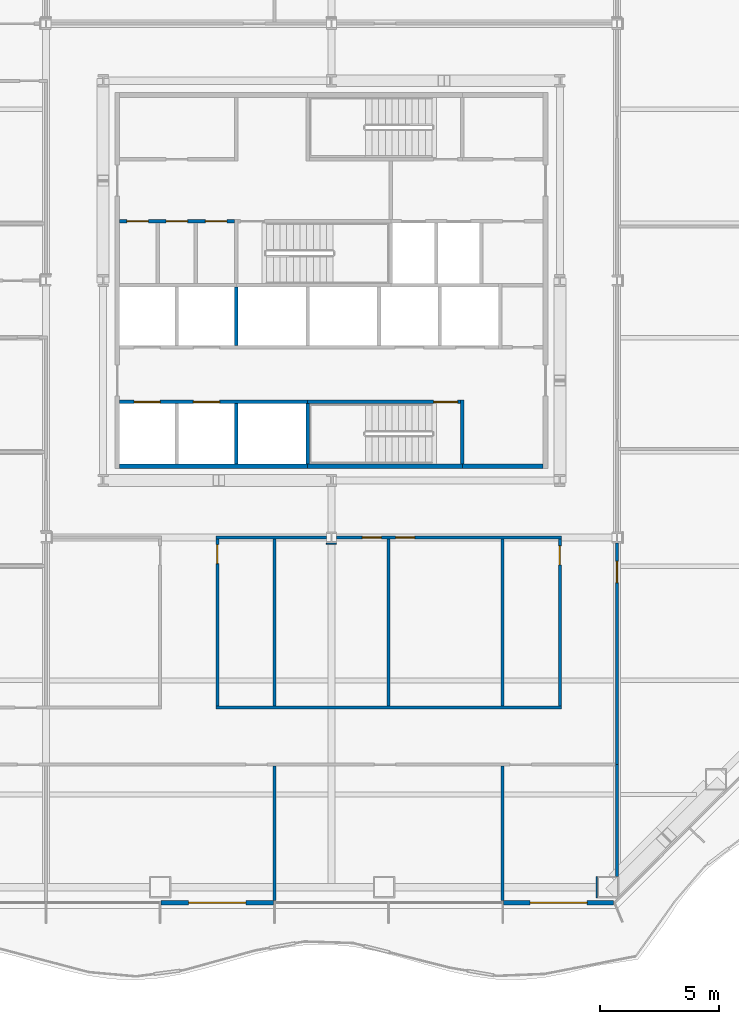
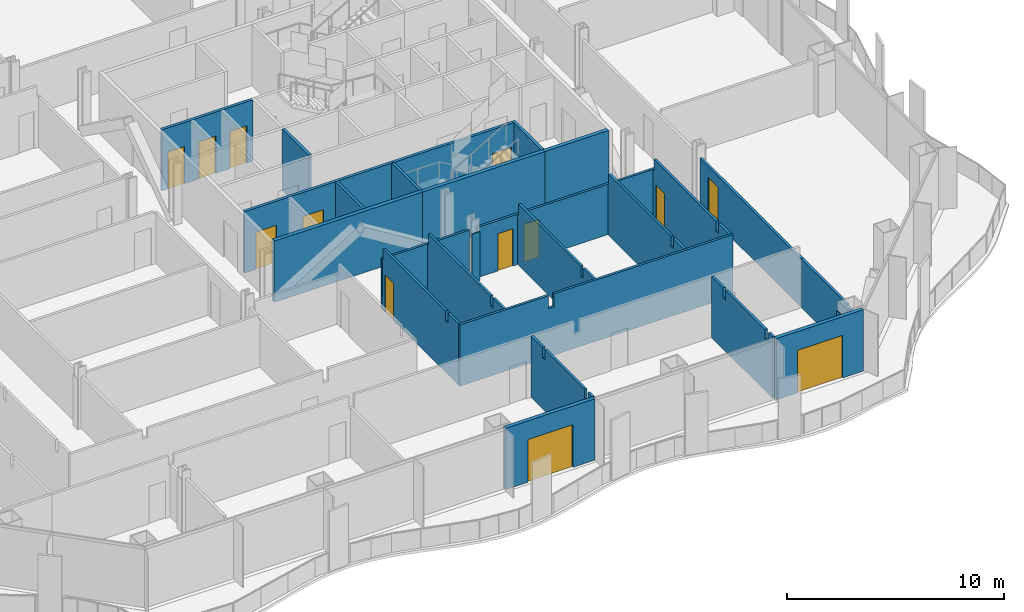
# One storey, part 8 of 18: 26 walls, 13 doors, 13 openings.
"""IFC4 building model written with IfcOpenShell, lengths in metres."""

from ifc_helpers import new_model, si_unit, direction, frame, frame_2d, origin, place, context, subcontext, project, spatial, polyline, rectangle, outline, extrude, material, layer, layer_set, type_object, element, fill, save


model = new_model("IFC4")

# Units and contexts
model_context = context("Model", 3, precision=1e-05, world=origin(), true_north=direction((0.0, 1.0)))
body_context = subcontext(model_context, "Body", "Model", "MODEL_VIEW")
ifc_project = project(units=[si_unit("LENGTHUNIT", "METRE"), si_unit("AREAUNIT", "SQUARE_METRE"), si_unit("VOLUMEUNIT", "CUBIC_METRE"), si_unit("PLANEANGLEUNIT", "RADIAN"), si_unit("MASSUNIT", "GRAM", prefix="KILO")], contexts=[model_context])

# Site, building, storey
site_placement = place(None, origin())
site = spatial("IfcSite", under=ifc_project, at=site_placement, CompositionType="ELEMENT")
building_placement = place(site_placement, origin())
building = spatial("IfcBuilding", under=site, at=building_placement, Name="Cairn Pilgrim Tower", CompositionType="ELEMENT")
storey_placement = place(building_placement, frame((0.0, 0.0, 76.199951171875)))
storey = spatial("IfcBuildingStorey", under=building, at=storey_placement, Name="L17", CompositionType="ELEMENT", Elevation=76.199951171875)

# Wall, opening, door
ifc_material_1 = material(Name="Bronze anodised aluminium insulated sandwich panel with mineral wool fill", Category="aluminium")
ifc_layer_1 = layer(ifc_material_1, 0.199951171875)
ifc_layer_set_1 = layer_set([ifc_layer_1], Name="BRONZE INFILL FRAME WALL 200")
wall_type_1 = type_object("IfcWallType", Name="BRONZE INFILL FRAME WALL 200", PredefinedType="NOTDEFINED", material=ifc_layer_set_1)
wall_1_placement = place(storey_placement, frame((0.030029296875, -23.75, 0.0), z_axis=(0.0, 0.0, 1.0), x_axis=(1.0, 0.0, 0.0)))
wall_1 = element("IfcWall", 1, at=wall_1_placement, inside=storey, type_object=wall_type_1, Name="Bronze infill frame wall IW-S5", PredefinedType="NOTDEFINED", context=body_context, shape_type="SweptSolid", body=[
    extrude(rectangle(XDim=4.739990234375, YDim=0.199951171875, at=frame_2d((2.3701171875, 0.0))), origin(), (0.0, 0.0, 1.0), 3.449951171875),
])
opening_1_placement = place(wall_1_placement, frame((1.169921875, 0.0, 0.0)))
opening_1 = element("IfcOpeningElement", 2, at=opening_1_placement, cuts=wall_1, Name="Opening 1703B", PredefinedType="OPENING", context=body_context, shape_type="SweptSolid", body=[
    extrude(rectangle(XDim=2.39990234375, YDim=2.39990234375, at=frame_2d((1.199951171875, 1.199951171875))), frame((0.0, 0.10986328125, 0.0), z_axis=(0.0, -1.0, 0.0), x_axis=(1.0, 0.0, 0.0)), (0.0, 0.0, 1.0), 0.219970703125),
])
ifc_material_2 = material(Name="Bronze anodised aluminium frame with tinted low-E glass", Category="aluminium")
door_type_1 = type_object("IfcDoorType", Name="BALCONY SLIDING DOOR 2400x2400", OperationType="DOUBLE_DOOR_SLIDING", PredefinedType="DOOR", material=ifc_material_2)
door_1_placement = place(opening_1_placement, origin())
door_1 = element("IfcDoor", 3, at=door_1_placement, inside=storey, type_object=door_type_1, Name="Balcony sliding door 1703B", OperationType="SINGLE_SWING_LEFT", OverallHeight=2.39990234375, OverallWidth=2.39990234375, PredefinedType="DOOR", context=body_context, shape_type="SweptSolid", body=[
    extrude(rectangle(XDim=2.39990234375, YDim=2.39990234375, at=frame_2d((1.199951171875, 1.199951171875))), frame((0.0, 0.02490234375, 0.0), z_axis=(0.0, -1.0, 0.0), x_axis=(1.0, 0.0, 0.0)), (0.0, 0.0, 1.0), 0.050048828125),
])
fill(opening_1, door_1)

wall_2_placement = place(storey_placement, frame((14.429931640625, -23.75, 0.0), z_axis=(0.0, 0.0, 1.0), x_axis=(1.0, 0.0, 0.0)))
wall_2 = element("IfcWall", 4, at=wall_2_placement, inside=storey, type_object=wall_type_1, Name="Bronze infill frame wall IW-S8", PredefinedType="NOTDEFINED", context=body_context, shape_type="SweptSolid", body=[
    extrude(rectangle(XDim=4.62646484375, YDim=0.199951171875, at=frame_2d((2.313232421875, 0.0))), origin(), (0.0, 0.0, 1.0), 3.449951171875),
])
opening_2_placement = place(wall_2_placement, frame((1.117919921875, 0.0, 0.0)))
opening_2 = element("IfcOpeningElement", 5, at=opening_2_placement, cuts=wall_2, Name="Opening 1705B", PredefinedType="OPENING", context=body_context, shape_type="SweptSolid", body=[
    extrude(rectangle(XDim=2.39990234375, YDim=2.39990234375, at=frame_2d((1.199951171875, 1.199951171875))), frame((0.0, 0.10986328125, 0.0), z_axis=(0.0, -1.0, 0.0), x_axis=(1.0, 0.0, 0.0)), (0.0, 0.0, 1.0), 0.219970703125),
])
door_2_placement = place(opening_2_placement, origin())
door_2 = element("IfcDoor", 6, at=door_2_placement, inside=storey, type_object=door_type_1, Name="Balcony sliding door 1705B", OperationType="SINGLE_SWING_LEFT", OverallHeight=2.39990234375, OverallWidth=2.39990234375, PredefinedType="DOOR", context=body_context, shape_type="SweptSolid", body=[
    extrude(rectangle(XDim=2.39990234375, YDim=2.39990234375, at=frame_2d((1.199951171875, 1.199951171875))), frame((0.0, 0.02490234375, 0.0), z_axis=(0.0, -1.0, 0.0), x_axis=(1.0, 0.0, 0.0)), (0.0, 0.0, 1.0), 0.050048828125),
])
fill(opening_2, door_2)

# Walls
ifc_material_3 = material(Name="Concrete C32/40", Category="concrete")
ifc_layer_2 = layer(ifc_material_3, 0.199951171875)
ifc_layer_set_2 = layer_set([ifc_layer_2], Name="CORE OUTER WALL 200 EI 120")
wall_type_2 = type_object("IfcWallType", Name="CORE OUTER WALL 200 EI 120", PredefinedType="SOLIDWALL", material=ifc_layer_set_2)
wall_3_placement = place(storey_placement, frame((-1.699951171875, -5.39990234375, 0.0), z_axis=(0.0, 0.0, 1.0), x_axis=(1.0, 0.0, 0.0)))
element("IfcWall", 7, at=wall_3_placement, inside=storey, type_object=wall_type_2, Name="CW:L17:H01-1", PredefinedType="SOLIDWALL", context=body_context, shape_type="SweptSolid", body=[
    extrude(rectangle(XDim=7.89990234375, YDim=0.199951171875, at=frame_2d((3.949951171875, 0.0))), origin(), (0.0, 0.0, 1.0), 3.449951171875),
])
wall_4_placement = place(storey_placement, frame((12.699951171875, -5.39990234375, 0.0), z_axis=(0.0, 0.0, 1.0), x_axis=(1.0, 0.0, 0.0)))
element("IfcWall", 8, at=wall_4_placement, inside=storey, type_object=wall_type_2, Name="CW:L17:H01-3", PredefinedType="SOLIDWALL", context=body_context, shape_type="SweptSolid", body=[
    extrude(rectangle(XDim=3.400146484375, YDim=0.199951171875, at=frame_2d((1.7001953125, 0.0))), origin(), (0.0, 0.0, 1.0), 3.449951171875),
])

# Wall, openings, doors
ifc_layer_3 = layer(ifc_material_3, 0.14990234375)
ifc_layer_set_3 = layer_set([ifc_layer_3], Name="CORE PARTITION 150 EI 60")
wall_type_3 = type_object("IfcWallType", Name="CORE PARTITION 150 EI 60", PredefinedType="PARTITIONING", material=ifc_layer_set_3)
wall_5_placement = place(storey_placement, frame((-1.699951171875, 4.89990234375, 0.0), z_axis=(0.0, 0.0, 1.0), x_axis=(1.0, 0.0, 0.0)))
wall_5 = element("IfcWall", 9, at=wall_5_placement, inside=storey, type_object=wall_type_3, Name="CW:L17:H07", PredefinedType="PARTITIONING", context=body_context, shape_type="SweptSolid", body=[
    extrude(rectangle(XDim=4.824951171875, YDim=0.14990234375, at=frame_2d((2.41259765625, 0.0))), origin(), (0.0, 0.0, 1.0), 3.449951171875),
])
opening_3_placement = place(wall_5_placement, frame((0.300048828125, 0.0, 0.0)))
opening_3 = element("IfcOpeningElement", 10, at=opening_3_placement, cuts=wall_5, Name="Opening RD-R3W1", PredefinedType="OPENING", context=body_context, shape_type="SweptSolid", body=[
    extrude(rectangle(XDim=0.89990234375, YDim=2.10009765625, at=frame_2d((0.449951171875, 1.050048828125))), frame((0.0, 0.0849609375, 0.0), z_axis=(0.0, -1.0, 0.0), x_axis=(1.0, 0.0, 0.0)), (0.0, 0.0, 1.0), 0.169921875),
])
opening_4_placement = place(wall_5_placement, frame((1.949951171875, 0.0, 0.0)))
opening_4 = element("IfcOpeningElement", 11, at=opening_4_placement, cuts=wall_5, Name="Opening RD-R3W2", PredefinedType="OPENING", context=body_context, shape_type="SweptSolid", body=[
    extrude(rectangle(XDim=0.89990234375, YDim=2.10009765625, at=frame_2d((0.449951171875, 1.050048828125))), frame((0.0, 0.0849609375, 0.0), z_axis=(0.0, -1.0, 0.0), x_axis=(1.0, 0.0, 0.0)), (0.0, 0.0, 1.0), 0.169921875),
])
opening_5_placement = place(wall_5_placement, frame((3.60009765625, 0.0, 0.0)))
opening_5 = element("IfcOpeningElement", 12, at=opening_5_placement, cuts=wall_5, Name="Opening RD-R3W3", PredefinedType="OPENING", context=body_context, shape_type="SweptSolid", body=[
    extrude(rectangle(XDim=0.89990234375, YDim=2.10009765625, at=frame_2d((0.449951171875, 1.050048828125))), frame((0.0, 0.0849609375, 0.0), z_axis=(0.0, -1.0, 0.0), x_axis=(1.0, 0.0, 0.0)), (0.0, 0.0, 1.0), 0.169921875),
])
ifc_material_4 = material(Name="Painted steel", Category="steel")
door_type_2 = type_object("IfcDoorType", Name="SERVICE ROOM DOOR 900x2100", OperationType="SINGLE_SWING_LEFT", PredefinedType="DOOR", material=ifc_material_4)
door_3_placement = place(opening_3_placement, origin())
door_3 = element("IfcDoor", 13, at=door_3_placement, inside=storey, type_object=door_type_2, Name="RD-R3W1", OperationType="SINGLE_SWING_RIGHT", OverallHeight=2.10009765625, OverallWidth=0.89990234375, PredefinedType="DOOR", context=body_context, shape_type="SweptSolid", body=[
    extrude(rectangle(XDim=0.89990234375, YDim=2.10009765625, at=frame_2d((0.449951171875, 1.050048828125))), frame((0.0, 0.02490234375, 0.0), z_axis=(0.0, -1.0, 0.0), x_axis=(1.0, 0.0, 0.0)), (0.0, 0.0, 1.0), 0.050048828125),
])
fill(opening_3, door_3)
door_4_placement = place(opening_4_placement, origin())
door_4 = element("IfcDoor", 14, at=door_4_placement, inside=storey, type_object=door_type_2, Name="RD-R3W2", OperationType="SINGLE_SWING_LEFT", OverallHeight=2.10009765625, OverallWidth=0.89990234375, PredefinedType="DOOR", context=body_context, shape_type="SweptSolid", body=[
    extrude(rectangle(XDim=0.89990234375, YDim=2.10009765625, at=frame_2d((0.449951171875, 1.050048828125))), frame((0.0, 0.02490234375, 0.0), z_axis=(0.0, -1.0, 0.0), x_axis=(1.0, 0.0, 0.0)), (0.0, 0.0, 1.0), 0.050048828125),
])
fill(opening_4, door_4)
door_5_placement = place(opening_5_placement, origin())
door_5 = element("IfcDoor", 15, at=door_5_placement, inside=storey, type_object=door_type_2, Name="RD-R3W3", OperationType="SINGLE_SWING_RIGHT", OverallHeight=2.10009765625, OverallWidth=0.89990234375, PredefinedType="DOOR", context=body_context, shape_type="SweptSolid", body=[
    extrude(rectangle(XDim=0.89990234375, YDim=2.10009765625, at=frame_2d((0.449951171875, 1.050048828125))), frame((0.0, 0.02490234375, 0.0), z_axis=(0.0, -1.0, 0.0), x_axis=(1.0, 0.0, 0.0)), (0.0, 0.0, 1.0), 0.050048828125),
])
fill(opening_5, door_5)

ifc_layer_4 = layer(ifc_material_3, 0.14990234375)
ifc_layer_set_4 = layer_set([ifc_layer_4], Name="CORE SHAFT WALL 150 EI 120")
wall_type_4 = type_object("IfcWallType", Name="CORE SHAFT WALL 150 EI 120", PredefinedType="SOLIDWALL", material=ifc_layer_set_4)
wall_6_placement = place(storey_placement, frame((-1.699951171875, -2.699951171875, 0.0), z_axis=(0.0, 0.0, 1.0), x_axis=(1.0, 0.0, 0.0)))
wall_6 = element("IfcWall", 16, at=wall_6_placement, inside=storey, type_object=wall_type_4, Name="CW:L17:H02-1", PredefinedType="SOLIDWALL", context=body_context, shape_type="SweptSolid", body=[
    extrude(rectangle(XDim=7.89990234375, YDim=0.14990234375, at=frame_2d((3.949951171875, 0.0))), origin(), (0.0, 0.0, 1.0), 3.449951171875),
])
opening_6_placement = place(wall_6_placement, frame((0.60009765625, 0.0, 0.0)))
opening_6 = element("IfcOpeningElement", 17, at=opening_6_placement, cuts=wall_6, Name="Opening LD-LR1", PredefinedType="OPENING", context=body_context, shape_type="SweptSolid", body=[
    extrude(rectangle(XDim=1.10009765625, YDim=2.10009765625, at=frame_2d((0.550048828125, 1.050048828125))), frame((0.0, 0.0849609375, 0.0), z_axis=(0.0, -1.0, 0.0), x_axis=(1.0, 0.0, 0.0)), (0.0, 0.0, 1.0), 0.169921875),
])
opening_7_placement = place(wall_6_placement, frame((3.10009765625, 0.0, 0.0)))
opening_7 = element("IfcOpeningElement", 18, at=opening_7_placement, cuts=wall_6, Name="Opening LD-LR2", PredefinedType="OPENING", context=body_context, shape_type="SweptSolid", body=[
    extrude(rectangle(XDim=1.10009765625, YDim=2.10009765625, at=frame_2d((0.550048828125, 1.050048828125))), frame((0.0, 0.0849609375, 0.0), z_axis=(0.0, -1.0, 0.0), x_axis=(1.0, 0.0, 0.0)), (0.0, 0.0, 1.0), 0.169921875),
])
ifc_material_5 = material(Name="Stainless steel", Category="steel")
door_type_3 = type_object("IfcDoorType", Name="LIFT LANDING DOOR 1100x2100", OperationType="DOUBLE_DOOR_SLIDING", PredefinedType="DOOR", material=ifc_material_5)
door_6_placement = place(opening_6_placement, origin())
door_6 = element("IfcDoor", 19, at=door_6_placement, inside=storey, type_object=door_type_3, Name="LANDING DOOR LR1", OperationType="DOUBLE_DOOR_SLIDING", OverallHeight=2.10009765625, OverallWidth=1.10009765625, PredefinedType="DOOR", context=body_context, shape_type="SweptSolid", body=[
    extrude(rectangle(XDim=1.10009765625, YDim=2.10009765625, at=frame_2d((0.550048828125, 1.050048828125))), frame((0.0, 0.02490234375, 0.0), z_axis=(0.0, -1.0, 0.0), x_axis=(1.0, 0.0, 0.0)), (0.0, 0.0, 1.0), 0.050048828125),
])
fill(opening_6, door_6)
door_7_placement = place(opening_7_placement, origin())
door_7 = element("IfcDoor", 20, at=door_7_placement, inside=storey, type_object=door_type_3, Name="LANDING DOOR LR2", OperationType="DOUBLE_DOOR_SLIDING", OverallHeight=2.10009765625, OverallWidth=1.10009765625, PredefinedType="DOOR", context=body_context, shape_type="SweptSolid", body=[
    extrude(rectangle(XDim=1.10009765625, YDim=2.10009765625, at=frame_2d((0.550048828125, 1.050048828125))), frame((0.0, 0.02490234375, 0.0), z_axis=(0.0, -1.0, 0.0), x_axis=(1.0, 0.0, 0.0)), (0.0, 0.0, 1.0), 0.050048828125),
])
fill(opening_7, door_7)

# Walls
wall_7_placement = place(storey_placement, frame((3.199951171875, -5.300048828125, 0.0), z_axis=(0.0, 0.0, 1.0), x_axis=(0.0, 1.0, 0.0)))
element("IfcWall", 21, at=wall_7_placement, inside=storey, type_object=wall_type_4, Name="CW:L17:V17", PredefinedType="SOLIDWALL", context=body_context, shape_type="SweptSolid", body=[
    extrude(rectangle(XDim=2.525146484375, YDim=0.14990234375, at=frame_2d((1.2626953125, 0.0))), origin(), (0.0, 0.0, 1.0), 3.449951171875),
])
wall_8_placement = place(storey_placement, frame((3.199951171875, -0.324951171875, 0.0), z_axis=(0.0, 0.0, 1.0), x_axis=(0.0, 1.0, 0.0)))
element("IfcWall", 22, at=wall_8_placement, inside=storey, type_object=wall_type_4, Name="CW:L17:V18", PredefinedType="SOLIDWALL", context=body_context, shape_type="SweptSolid", body=[
    extrude(rectangle(XDim=2.449951171875, YDim=0.14990234375, at=frame_2d((1.22509765625, 0.0))), origin(), (0.0, 0.0, 1.0), 3.449951171875),
])
ifc_material_6 = material(Name="Gypsum partition")
ifc_layer_5 = layer(ifc_material_6, 0.125)
ifc_layer_set_5 = layer_set([ifc_layer_5], Name="PARTITION 125 DRYWALL EI 60")
wall_type_5 = type_object("IfcWallType", Name="PARTITION 125 DRYWALL EI 60", PredefinedType="PARTITIONING", material=ifc_layer_set_5)
for number, where, z_axis, x_axis, name in (
    (23, (4.800048828125, -23.64990234375, 0.0), (0.0, 0.0, 1.0), (0.0, 1.0, 0.0), "PARTITION W003"),
    (24, (14.39990234375, -23.64990234375, 0.0), (0.0, 0.0, 1.0), (0.0, 1.0, 0.0), "PARTITION W004"),
):
    element("IfcWall", number, at=place(storey_placement, frame(where, z_axis=z_axis, x_axis=x_axis)), inside=storey, type_object=wall_type_5, Name=name, PredefinedType="PARTITIONING", context=body_context, shape_type="SweptSolid", body=[
        extrude(outline(polyline([(0.0, 0.0), (5.637451171875, 0.0), (5.637451171875, 3.449951171875), (4.554931640625, 3.449951171875), (4.552978515625, 2.880126953125), (4.344970703125, 2.880126953125), (4.343017578125, 3.449951171875), (0.699951171875, 3.449951171875), (0.697998046875, 2.929931640625), (0.39990234375, 2.929931640625), (0.39794921875, 3.449951171875), (0.0, 3.449951171875), (0.0, 0.0)])), frame((0.0, 0.0625, 0.0), z_axis=(0.0, -1.0, 0.0), x_axis=(1.0, 0.0, 0.0)), (0.0, 0.0, 1.0), 0.125),
    ])
wall_9_placement = place(storey_placement, frame((19.199951171875, -22.64990234375, 0.0), z_axis=(0.0, 0.0, 1.0), x_axis=(0.0, 1.0, 0.0)))
element("IfcWall", 25, at=wall_9_placement, inside=storey, type_object=wall_type_5, Name="PARTITION W005", PredefinedType="PARTITIONING", context=body_context, shape_type="SweptSolid", body=[
    extrude(outline(polyline([(0.0, 0.0), (4.699951171875, 0.0), (4.699951171875, 2.72998046875), (0.480224609375, 2.72998046875), (0.478271484375, 2.630126953125), (0.0, 2.630126953125), (0.0, 0.0)])), frame((0.0, 0.0625, 0.0), z_axis=(0.0, -1.0, 0.0), x_axis=(1.0, 0.0, 0.0)), (0.0, 0.0, 1.0), 0.125),
])

# Wall, opening, door
wall_10_placement = place(storey_placement, frame((19.199951171875, -17.949951171875, 0.0), z_axis=(0.0, 0.0, 1.0), x_axis=(0.0, 1.0, 0.0)))
wall_10 = element("IfcWall", 26, at=wall_10_placement, inside=storey, type_object=wall_type_5, Name="PARTITION W010", PredefinedType="PARTITIONING", context=body_context, shape_type="SweptSolid", body=[
    extrude(rectangle(XDim=9.31298828125, YDim=0.125, at=frame_2d((4.656494140625, 0.0))), origin(), (0.0, 0.0, 1.0), 2.72998046875),
])
opening_8_placement = place(wall_10_placement, frame((7.64990234375, 0.0, 0.0)))
opening_8 = element("IfcOpeningElement", 27, at=opening_8_placement, cuts=wall_10, Name="Opening 1714", PredefinedType="OPENING", context=body_context, shape_type="SweptSolid", body=[
    extrude(rectangle(XDim=0.89990234375, YDim=2.10009765625, at=frame_2d((0.449951171875, 1.050048828125))), frame((0.0, 0.072509765625, 0.0), z_axis=(0.0, -1.0, 0.0), x_axis=(1.0, 0.0, 0.0)), (0.0, 0.0, 1.0), 0.14501953125),
])
ifc_material_7 = material(Name="Steel-faced fire door leaf", Category="steel")
door_type_4 = type_object("IfcDoorType", Name="FIRE DOOR 900x2100 FD30S", OperationType="NOTDEFINED", PredefinedType="DOOR", material=ifc_material_7)
door_8_placement = place(opening_8_placement, frame((0.89990234375, 0.0, 0.0), z_axis=(0.0, 0.0, 1.0), x_axis=(-1.0, 0.0, 0.0)))
door_8 = element("IfcDoor", 28, at=door_8_placement, inside=storey, type_object=door_type_4, Name="DOOR 1714", OperationType="SINGLE_SWING_LEFT", OverallHeight=2.10009765625, OverallWidth=0.89990234375, PredefinedType="DOOR", context=body_context, shape_type="SweptSolid", body=[
    extrude(rectangle(XDim=0.89990234375, YDim=2.10009765625, at=frame_2d((0.449951171875, 1.050048828125))), frame((0.0, 0.02490234375, 0.0), z_axis=(0.0, -1.0, 0.0), x_axis=(1.0, 0.0, 0.0)), (0.0, 0.0, 1.0), 0.050048828125),
])
fill(opening_8, door_8)

# Wall
wall_11_placement = place(storey_placement, frame((2.33740234375, -15.550048828125, 0.0), z_axis=(0.0, 0.0, 1.0), x_axis=(1.0, 0.0, 0.0)))
element("IfcWall", 29, at=wall_11_placement, inside=storey, type_object=wall_type_5, Name="PARTITION W012", PredefinedType="PARTITIONING", context=body_context, shape_type="SweptSolid", body=[
    extrude(outline(polyline([(0.0, 0.0), (14.525146484375, 0.0), (14.52490234375, 3.449951171875), (5.012451171875, 3.449951171875), (5.010498046875, 2.72998046875), (4.71240234375, 2.72998046875), (4.71044921875, 3.449951171875), (0.0, 3.449951171875), (0.0, 0.0)])), frame((0.0, 0.0625, 0.0), z_axis=(0.0, -1.0, 0.0), x_axis=(1.0, 0.0, 0.0)), (0.0, 0.0, 1.0), 0.125),
])

# Wall, opening, door
wall_12_placement = place(storey_placement, frame((2.39990234375, -15.487548828125, 0.0), z_axis=(0.0, 0.0, 1.0), x_axis=(0.0, 1.0, 0.0)))
wall_12 = element("IfcWall", 30, at=wall_12_placement, inside=storey, type_object=wall_type_5, Name="PARTITION W017", PredefinedType="PARTITIONING", context=body_context, shape_type="SweptSolid", body=[
    extrude(outline(polyline([(0.0, 0.0), (7.025146484375, 0.0), (7.02490234375, 2.830078125), (6.9375, 2.830078125), (6.935546875, 3.449951171875), (1.1923828125, 3.449951171875), (1.1904296875, 2.880126953125), (0.982421875, 2.880126953125), (0.98046875, 3.449951171875), (0.0, 3.449951171875), (0.0, 0.0)])), frame((0.0, 0.0625, 0.0), z_axis=(0.0, -1.0, 0.0), x_axis=(1.0, 0.0, 0.0)), (0.0, 0.0, 1.0), 0.125),
])
opening_9_placement = place(wall_12_placement, frame((5.987548828125, 0.0, 0.0)))
opening_9 = element("IfcOpeningElement", 31, at=opening_9_placement, cuts=wall_12, Name="Opening 1725", PredefinedType="OPENING", context=body_context, shape_type="SweptSolid", body=[
    extrude(rectangle(XDim=0.800048828125, YDim=2.10009765625, at=frame_2d((0.39990234375, 1.050048828125))), frame((0.0, 0.072509765625, 0.0), z_axis=(0.0, -1.0, 0.0), x_axis=(1.0, 0.0, 0.0)), (0.0, 0.0, 1.0), 0.14501953125),
])
door_type_5 = type_object("IfcDoorType", Name="FIRE DOOR 800x2100 FD30S", OperationType="NOTDEFINED", PredefinedType="DOOR", material=ifc_material_7)
door_9_placement = place(opening_9_placement, frame((0.800048828125, 0.0, 0.0), z_axis=(0.0, 0.0, 1.0), x_axis=(-1.0, 0.0, 0.0)))
door_9 = element("IfcDoor", 32, at=door_9_placement, inside=storey, type_object=door_type_5, Name="DOOR 1725", OperationType="SINGLE_SWING_RIGHT", OverallHeight=2.10009765625, OverallWidth=0.800048828125, PredefinedType="DOOR", context=body_context, shape_type="SweptSolid", body=[
    extrude(rectangle(XDim=0.800048828125, YDim=2.10009765625, at=frame_2d((0.39990234375, 1.050048828125))), frame((0.0, 0.02490234375, 0.0), z_axis=(0.0, -1.0, 0.0), x_axis=(1.0, 0.0, 0.0)), (0.0, 0.0, 1.0), 0.050048828125),
])
fill(opening_9, door_9)

# Walls
for number, where, z_axis, x_axis, name in (
    (33, (4.800048828125, -15.487548828125, 0.0), (0.0, 0.0, 1.0), (0.0, 1.0, 0.0), "PARTITION W018"),
    (34, (9.60009765625, -15.487548828125, 0.0), (0.0, 0.0, 1.0), (0.0, 1.0, 0.0), "PARTITION W019"),
    (35, (14.39990234375, -15.487548828125, 0.0), (0.0, 0.0, 1.0), (0.0, 1.0, 0.0), "PARTITION W020"),
):
    element("IfcWall", number, at=place(storey_placement, frame(where, z_axis=z_axis, x_axis=x_axis)), inside=storey, type_object=wall_type_5, Name=name, PredefinedType="PARTITIONING", context=body_context, shape_type="SweptSolid", body=[
        extrude(outline(polyline([(0.0, 0.0), (7.025146484375, 0.0), (7.02490234375, 2.830078125), (6.9375, 2.830078125), (6.935546875, 3.449951171875), (1.1923828125, 3.449951171875), (1.1904296875, 2.880126953125), (0.982421875, 2.880126953125), (0.98046875, 3.449951171875), (0.0, 3.449951171875), (0.0, 0.0)])), frame((0.0, 0.0625, 0.0), z_axis=(0.0, -1.0, 0.0), x_axis=(1.0, 0.0, 0.0)), (0.0, 0.0, 1.0), 0.125),
    ])

# Wall, opening, door
wall_13_placement = place(storey_placement, frame((16.800048828125, -15.487548828125, 0.0), z_axis=(0.0, 0.0, 1.0), x_axis=(0.0, 1.0, 0.0)))
wall_13 = element("IfcWall", 36, at=wall_13_placement, inside=storey, type_object=wall_type_5, Name="PARTITION W021", PredefinedType="PARTITIONING", context=body_context, shape_type="SweptSolid", body=[
    extrude(outline(polyline([(0.0, 0.0), (7.025146484375, 0.0), (7.02490234375, 2.830078125), (6.9375, 2.830078125), (6.935546875, 3.449951171875), (1.1923828125, 3.449951171875), (1.1904296875, 2.880126953125), (0.982421875, 2.880126953125), (0.98046875, 3.449951171875), (0.0, 3.449951171875), (0.0, 0.0)])), frame((0.0, 0.0625, 0.0), z_axis=(0.0, -1.0, 0.0), x_axis=(1.0, 0.0, 0.0)), (0.0, 0.0, 1.0), 0.125),
])
opening_10_placement = place(wall_13_placement, frame((5.9375, 0.0, 0.0)))
opening_10 = element("IfcOpeningElement", 37, at=opening_10_placement, cuts=wall_13, Name="Opening 1728", PredefinedType="OPENING", context=body_context, shape_type="SweptSolid", body=[
    extrude(rectangle(XDim=0.800048828125, YDim=2.10009765625, at=frame_2d((0.39990234375, 1.050048828125))), frame((0.0, 0.072509765625, 0.0), z_axis=(0.0, -1.0, 0.0), x_axis=(1.0, 0.0, 0.0)), (0.0, 0.0, 1.0), 0.14501953125),
])
door_10_placement = place(opening_10_placement, origin())
door_10 = element("IfcDoor", 38, at=door_10_placement, inside=storey, type_object=door_type_5, Name="DOOR 1728", OperationType="SINGLE_SWING_LEFT", OverallHeight=2.10009765625, OverallWidth=0.800048828125, PredefinedType="DOOR", context=body_context, shape_type="SweptSolid", body=[
    extrude(rectangle(XDim=0.800048828125, YDim=2.10009765625, at=frame_2d((0.39990234375, 1.050048828125))), frame((0.0, 0.02490234375, 0.0), z_axis=(0.0, -1.0, 0.0), x_axis=(1.0, 0.0, 0.0)), (0.0, 0.0, 1.0), 0.050048828125),
])
fill(opening_10, door_10)

# Wall
wall_14_placement = place(storey_placement, frame((2.33740234375, -8.39990234375, 0.0), z_axis=(0.0, 0.0, 1.0), x_axis=(1.0, 0.0, 0.0)))
element("IfcWall", 39, at=wall_14_placement, inside=storey, type_object=wall_type_5, Name="PARTITION W028", PredefinedType="PARTITIONING", context=body_context, shape_type="SweptSolid", body=[
    extrude(rectangle(XDim=4.650634765625, YDim=0.125, at=frame_2d((2.3251953125, 0.0))), origin(), (0.0, 0.0, 1.0), 2.830078125),
])

# Wall, openings, doors
wall_15_placement = place(storey_placement, frame((7.412109375, -8.39990234375, 0.0), z_axis=(0.0, 0.0, 1.0), x_axis=(1.0, 0.0, 0.0)))
wall_15 = element("IfcWall", 40, at=wall_15_placement, inside=storey, type_object=wall_type_5, Name="PARTITION W029", PredefinedType="PARTITIONING", context=body_context, shape_type="SweptSolid", body=[
    extrude(rectangle(XDim=9.450439453125, YDim=0.125, at=frame_2d((4.72509765625, 0.0))), origin(), (0.0, 0.0, 1.0), 2.830078125),
])
opening_11_placement = place(wall_15_placement, frame((1.087890625, 0.0, 0.0)))
opening_11 = element("IfcOpeningElement", 41, at=opening_11_placement, cuts=wall_15, Name="Opening 1726", PredefinedType="OPENING", context=body_context, shape_type="SweptSolid", body=[
    extrude(rectangle(XDim=0.800048828125, YDim=2.10009765625, at=frame_2d((0.39990234375, 1.050048828125))), frame((0.0, 0.072509765625, 0.0), z_axis=(0.0, -1.0, 0.0), x_axis=(1.0, 0.0, 0.0)), (0.0, 0.0, 1.0), 0.14501953125),
])
opening_12_placement = place(wall_15_placement, frame((2.488037109375, 0.0, 0.0)))
opening_12 = element("IfcOpeningElement", 42, at=opening_12_placement, cuts=wall_15, Name="Opening 1727", PredefinedType="OPENING", context=body_context, shape_type="SweptSolid", body=[
    extrude(rectangle(XDim=0.800048828125, YDim=2.10009765625, at=frame_2d((0.39990234375, 1.050048828125))), frame((0.0, 0.072509765625, 0.0), z_axis=(0.0, -1.0, 0.0), x_axis=(1.0, 0.0, 0.0)), (0.0, 0.0, 1.0), 0.14501953125),
])
door_11_placement = place(opening_11_placement, frame((0.800048828125, 0.0, 0.0), z_axis=(0.0, 0.0, 1.0), x_axis=(-1.0, 0.0, 0.0)))
door_11 = element("IfcDoor", 43, at=door_11_placement, inside=storey, type_object=door_type_5, Name="DOOR 1726", OperationType="SINGLE_SWING_LEFT", OverallHeight=2.10009765625, OverallWidth=0.800048828125, PredefinedType="DOOR", context=body_context, shape_type="SweptSolid", body=[
    extrude(rectangle(XDim=0.800048828125, YDim=2.10009765625, at=frame_2d((0.39990234375, 1.050048828125))), frame((0.0, 0.02490234375, 0.0), z_axis=(0.0, -1.0, 0.0), x_axis=(1.0, 0.0, 0.0)), (0.0, 0.0, 1.0), 0.050048828125),
])
fill(opening_11, door_11)
door_12_placement = place(opening_12_placement, frame((0.800048828125, 0.0, 0.0), z_axis=(0.0, 0.0, 1.0), x_axis=(-1.0, 0.0, 0.0)))
door_12 = element("IfcDoor", 44, at=door_12_placement, inside=storey, type_object=door_type_5, Name="DOOR 1727", OperationType="SINGLE_SWING_RIGHT", OverallHeight=2.10009765625, OverallWidth=0.800048828125, PredefinedType="DOOR", context=body_context, shape_type="SweptSolid", body=[
    extrude(rectangle(XDim=0.800048828125, YDim=2.10009765625, at=frame_2d((0.39990234375, 1.050048828125))), frame((0.0, 0.02490234375, 0.0), z_axis=(0.0, -1.0, 0.0), x_axis=(1.0, 0.0, 0.0)), (0.0, 0.0, 1.0), 0.050048828125),
])
fill(opening_12, door_12)

# Walls
ifc_layer_6 = layer(ifc_material_6, 0.050048828125)
ifc_layer_set_6 = layer_set([ifc_layer_6], Name="PARTITION 50 DRYWALL EI 60")
wall_type_6 = type_object("IfcWallType", Name="PARTITION 50 DRYWALL EI 60", PredefinedType="PARTITIONING", material=ifc_layer_set_6)
wall_16_placement = place(storey_placement, frame((18.352294921875, -23.550048828125, 0.0), z_axis=(0.0, 0.0, 1.0), x_axis=(0.0, 1.0, 0.0)))
element("IfcWall", 45, at=wall_16_placement, inside=storey, type_object=wall_type_6, Name="COLUMN CASING WC02", PredefinedType="PARTITIONING", context=body_context, shape_type="SweptSolid", body=[
    extrude(rectangle(XDim=0.900146484375, YDim=0.050048828125, at=frame_2d((0.4501953125, 0.0))), origin(), (0.0, 0.0, 1.0), 2.929931640625),
])
wall_17_placement = place(storey_placement, frame((6.988037109375, -8.662109375, 0.0), z_axis=(0.0, 0.0, 1.0), x_axis=(1.0, 0.0, 0.0)))
element("IfcWall", 46, at=wall_17_placement, inside=storey, type_object=wall_type_6, Name="COLUMN CASING WC11", PredefinedType="PARTITIONING", context=body_context, shape_type="SweptSolid", body=[
    extrude(rectangle(XDim=0.424072265625, YDim=0.050048828125, at=frame_2d((0.2119140625, 0.0))), origin(), (0.0, 0.0, 1.0), 2.72998046875),
])

# Wall, opening, door
ifc_material_8 = material(Name="Concrete C35/45", Category="concrete")
ifc_layer_7 = layer(ifc_material_8, 0.14990234375)
ifc_layer_set_7 = layer_set([ifc_layer_7], Name="STAIR SHAFT WALL 150 EI 120")
wall_type_7 = type_object("IfcWallType", Name="STAIR SHAFT WALL 150 EI 120", PredefinedType="SOLIDWALL", material=ifc_layer_set_7)
wall_18_placement = place(storey_placement, frame((6.199951171875, -2.699951171875, 0.0), z_axis=(0.0, 0.0, 1.0), x_axis=(1.0, 0.0, 0.0)))
wall_18 = element("IfcWall", 47, at=wall_18_placement, inside=storey, type_object=wall_type_7, Name="CW:L17:H02-2", PredefinedType="SOLIDWALL", context=body_context, shape_type="SweptSolid", body=[
    extrude(rectangle(XDim=6.425048828125, YDim=0.14990234375, at=frame_2d((3.21240234375, 0.0))), origin(), (0.0, 0.0, 1.0), 3.449951171875),
])
opening_13_placement = place(wall_18_placement, frame((5.300048828125, 0.0, 0.0)))
opening_13 = element("IfcOpeningElement", 48, at=opening_13_placement, cuts=wall_18, Name="Opening SD-A", PredefinedType="OPENING", context=body_context, shape_type="SweptSolid", body=[
    extrude(rectangle(XDim=1.0, YDim=2.10009765625, at=frame_2d((0.5, 1.050048828125))), frame((0.0, 0.0849609375, 0.0), z_axis=(0.0, -1.0, 0.0), x_axis=(1.0, 0.0, 0.0)), (0.0, 0.0, 1.0), 0.169921875),
])
door_type_6 = type_object("IfcDoorType", Name="STAIR DOOR FD60S 1000x2100", OperationType="SINGLE_SWING_LEFT", PredefinedType="DOOR", material=ifc_material_4)
door_13_placement = place(opening_13_placement, origin())
door_13 = element("IfcDoor", 49, at=door_13_placement, inside=storey, type_object=door_type_6, Name="SD-A", OperationType="SINGLE_SWING_RIGHT", OverallHeight=2.10009765625, OverallWidth=1.0, PredefinedType="DOOR", context=body_context, shape_type="SweptSolid", body=[
    extrude(rectangle(XDim=1.0, YDim=2.10009765625, at=frame_2d((0.5, 1.050048828125))), frame((0.0, 0.02490234375, 0.0), z_axis=(0.0, -1.0, 0.0), x_axis=(1.0, 0.0, 0.0)), (0.0, 0.0, 1.0), 0.050048828125),
])
fill(opening_13, door_13)

# Walls
wall_19_placement = place(storey_placement, frame((6.199951171875, -5.300048828125, 0.0), z_axis=(0.0, 0.0, 1.0), x_axis=(0.0, 1.0, 0.0)))
element("IfcWall", 50, at=wall_19_placement, inside=storey, type_object=wall_type_7, Name="CW:L17:V21", PredefinedType="SOLIDWALL", context=body_context, shape_type="SweptSolid", body=[
    extrude(rectangle(XDim=2.525146484375, YDim=0.14990234375, at=frame_2d((1.2626953125, 0.0))), origin(), (0.0, 0.0, 1.0), 3.449951171875),
])
wall_20_placement = place(storey_placement, frame((12.699951171875, -5.300048828125, 0.0), z_axis=(0.0, 0.0, 1.0), x_axis=(0.0, 1.0, 0.0)))
element("IfcWall", 51, at=wall_20_placement, inside=storey, type_object=wall_type_7, Name="CW:L17:V29", PredefinedType="SOLIDWALL", context=body_context, shape_type="SweptSolid", body=[
    extrude(rectangle(XDim=2.675048828125, YDim=0.14990234375, at=frame_2d((1.33740234375, 0.0))), origin(), (0.0, 0.0, 1.0), 3.449951171875),
])
ifc_layer_8 = layer(ifc_material_8, 0.199951171875)
ifc_layer_set_8 = layer_set([ifc_layer_8], Name="STAIR SHAFT WALL 200 EI 120")
wall_type_8 = type_object("IfcWallType", Name="STAIR SHAFT WALL 200 EI 120", PredefinedType="SOLIDWALL", material=ifc_layer_set_8)
wall_21_placement = place(storey_placement, frame((6.199951171875, -5.39990234375, 0.0), z_axis=(0.0, 0.0, 1.0), x_axis=(1.0, 0.0, 0.0)))
element("IfcWall", 52, at=wall_21_placement, inside=storey, type_object=wall_type_8, Name="CW:L17:H01-2", PredefinedType="SOLIDWALL", context=body_context, shape_type="SweptSolid", body=[
    extrude(rectangle(XDim=6.5, YDim=0.199951171875, at=frame_2d((3.25, 0.0))), origin(), (0.0, 0.0, 1.0), 3.449951171875),
])

save(model, "model.ifc")
